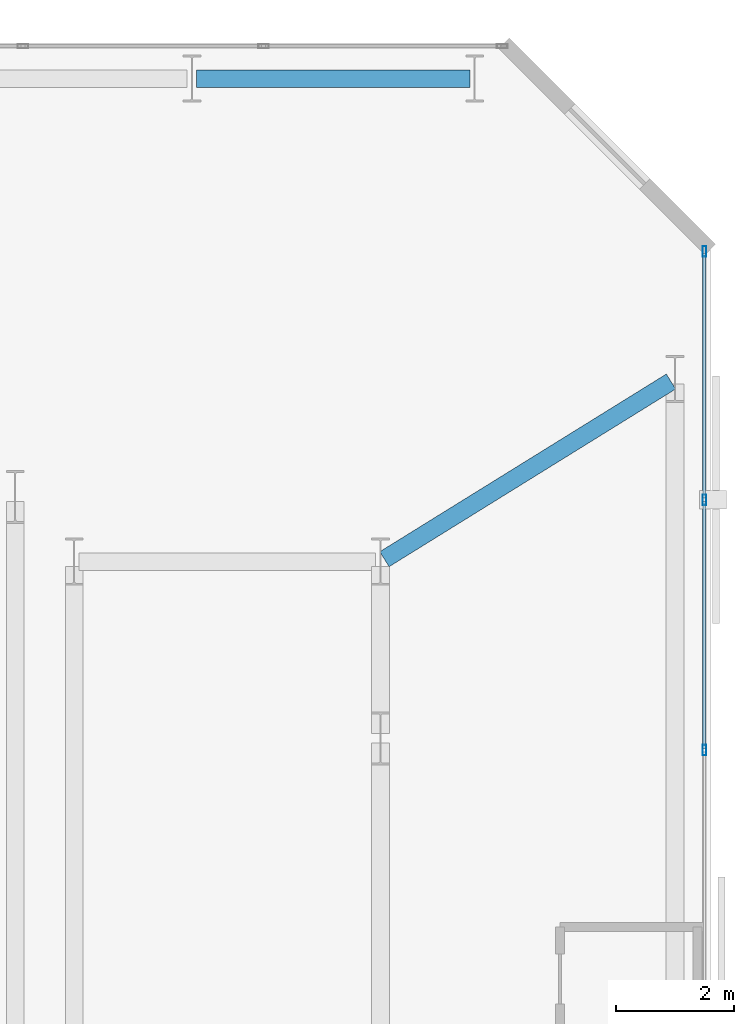
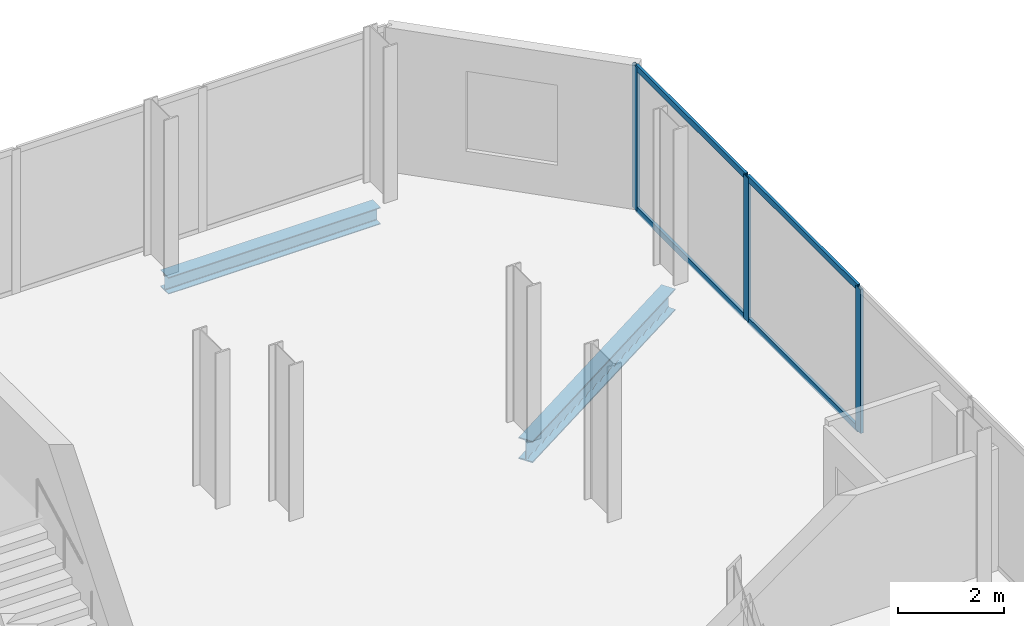
# One storey, part 25 of 33: 7 members, 2 beams, 1 element without a shape of its own.
"""IFC4 building model written with IfcOpenShell, lengths in metres."""

from ifc_helpers import new_model, si_unit, direction, frame, origin, origin_2d, place, context, subcontext, project, spatial, hollow_rectangle, i_section, extrude, material, layer, layer_set, material_profile, profile_set, type_object, element, aggregate, save


model = new_model("IFC4")

# Units and contexts
model_context = context("Model", 3, precision=1e-05, world=origin(), true_north=direction((0.0, 1.0)))
body_context = subcontext(model_context, "Body", "Model", "MODEL_VIEW")
ifc_project = project(units=[si_unit("LENGTHUNIT", "METRE"), si_unit("AREAUNIT", "SQUARE_METRE"), si_unit("VOLUMEUNIT", "CUBIC_METRE"), si_unit("PLANEANGLEUNIT", "RADIAN"), si_unit("MASSUNIT", "GRAM", prefix="KILO")], contexts=[model_context])

# Site, building, storey
site_placement = place(None, origin())
site = spatial("IfcSite", under=ifc_project, at=site_placement, CompositionType="ELEMENT")
building_placement = place(site_placement, origin())
building = spatial("IfcBuilding", under=site, at=building_placement, Name="Catumbela Crestline Tower", CompositionType="ELEMENT")
storey_placement = place(building_placement, frame((0.0, 0.0, 58.2)))
storey = spatial("IfcBuildingStorey", under=building, at=storey_placement, Name="L14", CompositionType="ELEMENT", Elevation=58.2)

# Beam
ifc_material_1 = material(Name="Structural steel S355J2", Category="steel")
ifc_material_profile_1 = material_profile(ifc_material_1, i_section(OverallWidth=0.3, OverallDepth=0.5, WebThickness=0.0145, FlangeThickness=0.028, FilletRadius=0.027, at=origin_2d()), Name="HEB 500")
ifc_profile_set_1 = profile_set([ifc_material_profile_1], Name="Structural steel S355J2")
beam_type_1 = type_object("IfcBeamType", Name="BG-HEB500", PredefinedType="BEAM", material=ifc_profile_set_1)
beam_1_placement = place(storey_placement, frame((50.468, 39.2422, -0.51), z_axis=(0.849908952007, 0.526929571479, 0.0), x_axis=(-0.526929571479, 0.849908952007, 0.0)))
element("IfcBeam", 1, at=beam_1_placement, inside=storey, type_object=beam_type_1, Name="L14 Beam BM-L14-N18", PredefinedType="BEAM", context=body_context, shape_type="SweptSolid", body=[
    extrude(i_section(OverallWidth=0.3, OverallDepth=0.5, WebThickness=0.0145, FlangeThickness=0.028, FilletRadius=0.027, at=origin_2d()), origin(), (0.0, 0.0, 1.0), 5.723),
])

# Curtain wall, members
ifc_material_2 = material(Name="Aluminium alloy AW-6060-T66", Category="aluminium")
ifc_layer = layer(ifc_material_2, 0.18, Name="Aluminium alloy AW-6060-T66")
ifc_layer_set = layer_set([ifc_layer], Name="Aluminium alloy AW-6060-T66")
curtain_wall_type = type_object("IfcCurtainWallType", Name="CWU-Z1", PredefinedType="USERDEFINED", material=ifc_layer_set)
curtain_wall_placement = place(storey_placement, origin())
curtain_wall = element("IfcCurtainWall", 2, at=curtain_wall_placement, inside=storey, type_object=curtain_wall_type, Name="L14 Unitised Curtain Wall CW-L14-E5S1", ObjectType="UNITISED", PredefinedType="USERDEFINED")
ifc_material_profile_2 = material_profile(ifc_material_2, hollow_rectangle(XDim=0.065, YDim=0.18, WallThickness=0.004, at=origin_2d()), Name="ALU 180x65x4")
ifc_profile_set_2 = profile_set([ifc_material_profile_2], Name="Aluminium alloy AW-6060-T66")
member_type_1 = type_object("IfcMemberType", Name="MUL-180X65", PredefinedType="MULLION", material=ifc_profile_set_2)
member_1_placement = place(storey_placement, frame((55.9, 36.0, 0.0), z_axis=(0.0, 0.0, 1.0), x_axis=(-1.0, 0.0, 0.0)))
member_1 = element("IfcMember", 3, at=member_1_placement, type_object=member_type_1, Name="CWU-Z1 mullion 3", PredefinedType="MULLION", context=body_context, shape_type="SweptSolid", body=[
    extrude(hollow_rectangle(XDim=0.065, YDim=0.18, WallThickness=0.004, at=origin_2d()), origin(), (0.0, 0.0, 1.0), 3.33),
])
member_2_placement = place(storey_placement, frame((55.9, 40.25, 0.0), z_axis=(0.0, 0.0, 1.0), x_axis=(-1.0, 0.0, 0.0)))
member_2 = element("IfcMember", 4, at=member_2_placement, type_object=member_type_1, Name="CWU-Z1 mullion 4", PredefinedType="MULLION", context=body_context, shape_type="SweptSolid", body=[
    extrude(hollow_rectangle(XDim=0.065, YDim=0.18, WallThickness=0.004, at=origin_2d()), origin(), (0.0, 0.0, 1.0), 3.33),
])
member_3_placement = place(storey_placement, frame((55.9, 44.4675, 0.0), z_axis=(0.0, 0.0, 1.0), x_axis=(-1.0, 0.0, 0.0)))
member_3 = element("IfcMember", 5, at=member_3_placement, type_object=member_type_1, Name="CWU-Z1 mullion 5", PredefinedType="MULLION", context=body_context, shape_type="SweptSolid", body=[
    extrude(hollow_rectangle(XDim=0.065, YDim=0.18, WallThickness=0.004, at=origin_2d()), origin(), (0.0, 0.0, 1.0), 3.33),
])

# Beam
ifc_material_profile_3 = material_profile(ifc_material_1, i_section(OverallWidth=0.3, OverallDepth=0.39, WebThickness=0.011, FlangeThickness=0.019, FilletRadius=0.027, at=origin_2d()), Name="HEA 400")
ifc_profile_set_3 = profile_set([ifc_material_profile_3], Name="Structural steel S355J2")
beam_type_2 = type_object("IfcBeamType", Name="BS-HEA400", PredefinedType="SPANDREL", material=ifc_profile_set_3)
beam_2_placement = place(storey_placement, frame((47.28, 47.4, -0.455), z_axis=(1.0, 0.0, 0.0), x_axis=(0.0, 1.0, 0.0)))
element("IfcBeam", 6, at=beam_2_placement, inside=storey, type_object=beam_type_2, Name="L14 Spandrel SP-L14-NF24", PredefinedType="SPANDREL", context=body_context, shape_type="SweptSolid", body=[
    extrude(i_section(OverallWidth=0.3, OverallDepth=0.39, WebThickness=0.011, FlangeThickness=0.019, FilletRadius=0.027, at=origin_2d()), origin(), (0.0, 0.0, 1.0), 4.64),
])

# Member
ifc_material_profile_4 = material_profile(ifc_material_2, hollow_rectangle(XDim=0.06, YDim=0.14, WallThickness=0.004, at=origin_2d()), Name="ALU 140x60x4")
ifc_profile_set_4 = profile_set([ifc_material_profile_4], Name="Aluminium alloy AW-6060-T66")
member_type_2 = type_object("IfcMemberType", Name="TRN-140X60", PredefinedType="USERDEFINED", material=ifc_profile_set_4)
member_4_placement = place(storey_placement, frame((55.9, 36.0325, 0.03), z_axis=(0.0, 1.0, 0.0), x_axis=(-1.0, 0.0, 0.0)))
member_4 = element("IfcMember", 7, at=member_4_placement, type_object=member_type_2, Name="CWU-Z1 transom 3.1", ObjectType="TRANSOM", PredefinedType="USERDEFINED", context=body_context, shape_type="SweptSolid", body=[
    extrude(hollow_rectangle(XDim=0.06, YDim=0.14, WallThickness=0.004, at=origin_2d()), origin(), (0.0, 0.0, 1.0), 4.185),
])

member_5_placement = place(storey_placement, frame((55.9, 36.0325, 3.3), z_axis=(0.0, 1.0, 0.0), x_axis=(-1.0, 0.0, 0.0)))
member_5 = element("IfcMember", 8, at=member_5_placement, type_object=member_type_2, Name="CWU-Z1 transom 3.2", ObjectType="TRANSOM", PredefinedType="USERDEFINED", context=body_context, shape_type="SweptSolid", body=[
    extrude(hollow_rectangle(XDim=0.06, YDim=0.14, WallThickness=0.004, at=origin_2d()), origin(), (0.0, 0.0, 1.0), 4.185),
])

member_6_placement = place(storey_placement, frame((55.9, 40.2825, 0.03), z_axis=(0.0, 1.0, 0.0), x_axis=(-1.0, 0.0, 0.0)))
member_6 = element("IfcMember", 9, at=member_6_placement, type_object=member_type_2, Name="CWU-Z1 transom 4.1", ObjectType="TRANSOM", PredefinedType="USERDEFINED", context=body_context, shape_type="SweptSolid", body=[
    extrude(hollow_rectangle(XDim=0.06, YDim=0.14, WallThickness=0.004, at=origin_2d()), origin(), (0.0, 0.0, 1.0), 4.1525),
])

member_7_placement = place(storey_placement, frame((55.9, 40.2825, 3.3), z_axis=(0.0, 1.0, 0.0), x_axis=(-1.0, 0.0, 0.0)))
member_7 = element("IfcMember", 10, at=member_7_placement, type_object=member_type_2, Name="CWU-Z1 transom 4.2", ObjectType="TRANSOM", PredefinedType="USERDEFINED", context=body_context, shape_type="SweptSolid", body=[
    extrude(hollow_rectangle(XDim=0.06, YDim=0.14, WallThickness=0.004, at=origin_2d()), origin(), (0.0, 0.0, 1.0), 4.1525),
])

aggregate(curtain_wall, [member_1, member_2, member_3, member_4, member_5, member_6, member_7])

save(model, "model.ifc")
